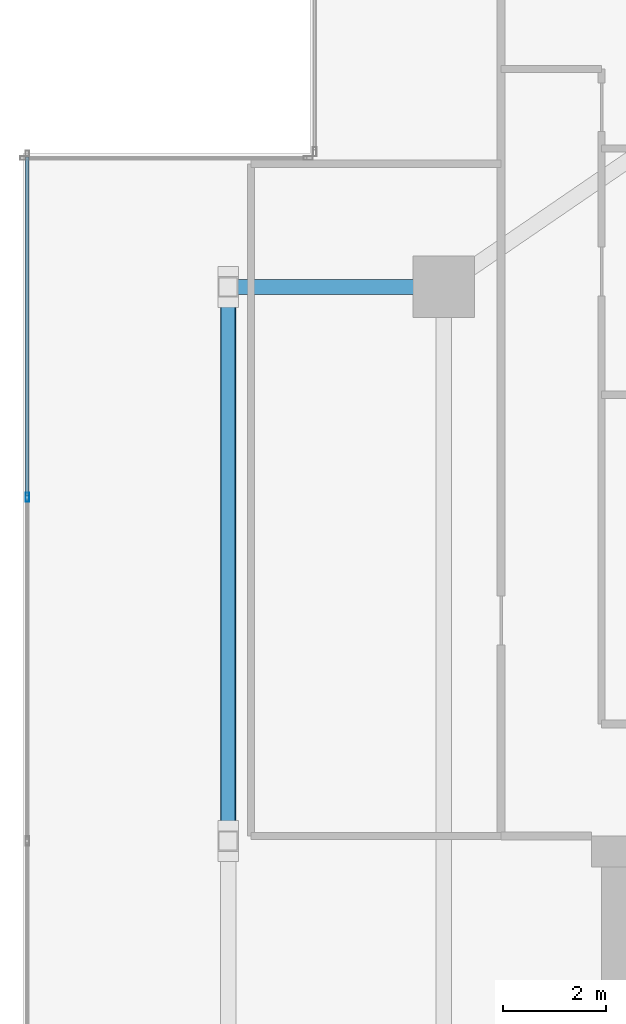
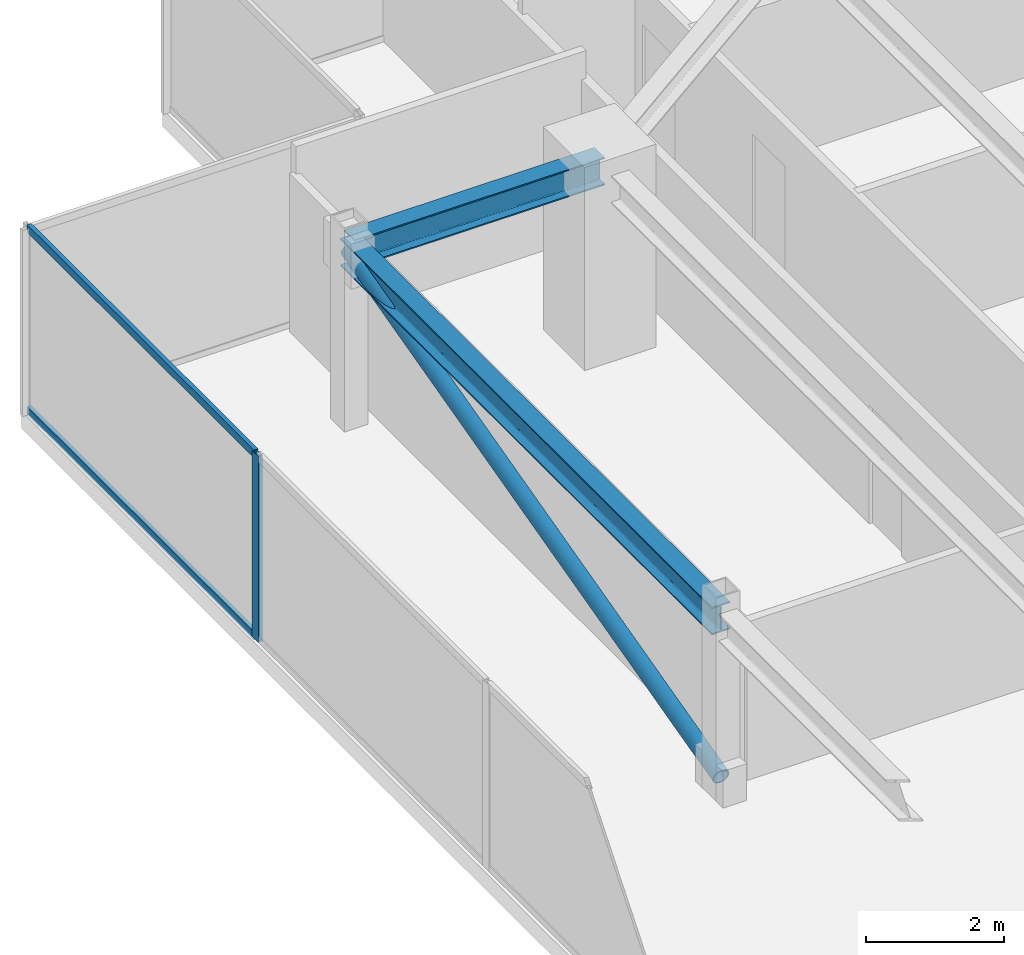
# One storey, part 9 of 16: 4 members, 2 beams, 1 element without a shape of its own.
"""IFC4 building model written with IfcOpenShell, lengths in metres."""

from ifc_helpers import new_model, si_unit, direction, frame, origin, origin_2d, place, context, subcontext, project, spatial, hollow_rectangle, hollow_circle, i_section, extrude, source, transform, mapped, material, material_profile, profile_set, type_object, type_shapes, element, aggregate, save


model = new_model("IFC4")

# Units and contexts
model_context = context("Model", 3, precision=1e-05, world=origin(), true_north=direction((0.0, 1.0)))
body_context = subcontext(model_context, "Body", "Model", "MODEL_VIEW")
ifc_project = project(units=[si_unit("LENGTHUNIT", "METRE"), si_unit("AREAUNIT", "SQUARE_METRE"), si_unit("VOLUMEUNIT", "CUBIC_METRE"), si_unit("PLANEANGLEUNIT", "RADIAN"), si_unit("MASSUNIT", "GRAM", prefix="KILO")], contexts=[model_context])

# Site, building, storey
site_placement = place(None, origin())
site = spatial("IfcSite", under=ifc_project, at=site_placement, CompositionType="ELEMENT")
building_placement = place(site_placement, origin())
building = spatial("IfcBuilding", under=site, at=building_placement, Name="Krantzveldt Concourse Tower", CompositionType="ELEMENT")
storey_placement = place(building_placement, frame((0.0, 0.0, 381.85009765625)))
storey = spatial("IfcBuildingStorey", under=building, at=storey_placement, Name="L94", CompositionType="ELEMENT", Elevation=381.85009765625)

# Beams
ifc_material_1 = material(Name="Steel S355JR", Category="steel")
ifc_material_profile_1 = material_profile(ifc_material_1, i_section(OverallWidth=0.300048828125, OverallDepth=0.489990234375, WebThickness=0.011962890625, FlangeThickness=0.02294921875, FilletRadius=0.027099609375, at=origin_2d()), Name="Steel S355JR", Category="steel")
ifc_profile_set_1 = profile_set([ifc_material_profile_1], Name="Steel S355JR - HEA 500")
beam_type = type_object("IfcBeamType", Name="BM-B-HEA500", PredefinedType="BEAM", material=ifc_profile_set_1)
shared_shape_1 = source(origin(), body_context, "Body", "SweptSolid", [
    extrude(i_section(OverallWidth=0.300048828125, OverallDepth=0.489990234375, WebThickness=0.011962890625, FlangeThickness=0.02294921875, FilletRadius=0.027099609375, at=origin_2d()), origin(), (0.0, 0.0, 1.0), 4.199951171875),
])
beam_1_placement = place(storey_placement, frame((21.0, 37.5, 3.054931640625), z_axis=(1.0, 0.0, 0.0), x_axis=(0.0, 1.0, 0.0)))
element("IfcBeam", 1, at=beam_1_placement, inside=storey, type_object=beam_type, Name="L94 Crown Girder WEST-3", PredefinedType="BEAM", context=body_context, shape_type="MappedRepresentation", body=[
    mapped(shared_shape_1, transform((0.0, 0.0, 0.0), x_axis=(1.0, 0.0, 0.0), y_axis=(0.0, 1.0, 0.0), z_axis=(0.0, 0.0, 1.0), scale=1.0)),
])
shared_shape_2 = source(origin(), body_context, "Body", "SweptSolid", [
    extrude(i_section(OverallWidth=0.300048828125, OverallDepth=0.489990234375, WebThickness=0.011962890625, FlangeThickness=0.02294921875, FilletRadius=0.027099609375, at=origin_2d()), origin(), (0.0, 0.0, 1.0), 10.800048828125),
])
type_shapes(beam_type, [shared_shape_1, shared_shape_2])
beam_2_placement = place(storey_placement, frame((21.0, 26.699951171875, 3.054931640625), z_axis=(0.0, 1.0, 0.0), x_axis=(-1.0, 0.0, 0.0)))
element("IfcBeam", 2, at=beam_2_placement, inside=storey, type_object=beam_type, Name="L94 Crown Girder WEST-2", PredefinedType="BEAM", context=body_context, shape_type="MappedRepresentation", body=[
    mapped(shared_shape_2, transform((0.0, 0.0, 0.0), x_axis=(1.0, 0.0, 0.0), y_axis=(0.0, 1.0, 0.0), z_axis=(0.0, 0.0, 1.0), scale=1.0)),
])

# Member
ifc_material_2 = material(Name="Steel S355J2", Category="steel")
ifc_material_profile_2 = material_profile(ifc_material_2, hollow_circle(Radius=0.136474609375, WallThickness=0.01611328125, at=origin_2d()), Name="Steel S355J2", Category="steel")
ifc_profile_set_2 = profile_set([ifc_material_profile_2], Name="Steel S355J2 - CHS 273x16")
member_type_1 = type_object("IfcMemberType", Name="MB-CB-CHS273", PredefinedType="BRACE", material=ifc_profile_set_2)
shared_shape_3 = source(origin(), body_context, "Body", "SweptSolid", [
    extrude(hollow_circle(Radius=0.136474609375, WallThickness=0.01611328125, at=origin_2d()), origin(), (0.0, 0.0, 1.0), 11.156982421875),
])
type_shapes(member_type_1, [shared_shape_3])
member_1_placement = place(storey_placement, frame((21.0, 26.699951171875, 0.25), z_axis=(0.0, 0.968001426323, 0.250944692386), x_axis=(-1.0, 0.0, 0.0)))
element("IfcMember", 3, at=member_1_placement, inside=storey, type_object=member_type_1, Name="Brace Diagonal CBR-L94-WEST", PredefinedType="BRACE", context=body_context, shape_type="MappedRepresentation", body=[
    mapped(shared_shape_3, transform((0.0, 0.0, 0.0), x_axis=(1.0, 0.0, 0.0), y_axis=(0.0, 1.0, 0.0), z_axis=(0.0, 0.0, 1.0), scale=1.0)),
])

# Curtain wall, members
ifc_material_3 = material(Name="Anodised aluminium 6063-T6", Category="aluminium")
curtain_wall_type = type_object("IfcCurtainWallType", Name="CW7", PredefinedType="USERDEFINED", material=ifc_material_3)
curtain_wall_placement = place(storey_placement, origin())
curtain_wall = element("IfcCurtainWall", 4, at=curtain_wall_placement, inside=storey, type_object=curtain_wall_type, Name="CW-L94-WEST-05", ObjectType="UNITISED CURTAIN WALL", PredefinedType="USERDEFINED")
ifc_material_profile_3 = material_profile(ifc_material_3, hollow_rectangle(XDim=0.070068359375, YDim=0.139892578125, WallThickness=0.0048828125, at=origin_2d()), Name="Anodised aluminium 6063-T6", Category="aluminium")
ifc_profile_set_3 = profile_set([ifc_material_profile_3], Name="Anodised aluminium 6063-T6 - ALU-TRAN 140x70x5")
member_type_2 = type_object("IfcMemberType", Name="CW-TRN-150", PredefinedType="USERDEFINED", material=ifc_profile_set_3)
shared_shape_4 = source(origin(), body_context, "Body", "SweptSolid", [
    extrude(hollow_rectangle(XDim=0.070068359375, YDim=0.139892578125, WallThickness=0.0048828125, at=origin_2d()), origin(), (0.0, 0.0, 1.0), 6.594970703125),
])
type_shapes(member_type_2, [shared_shape_4])
member_2_placement = place(storey_placement, frame((17.090087890625, 40.030029296875, 0.034912109375), z_axis=(0.0, -1.0, 0.0), x_axis=(1.0, 0.0, 0.0)))
member_2 = element("IfcMember", 5, at=member_2_placement, type_object=member_type_2, Name="CW-CRN transom 1.1", ObjectType="TRANSOM", PredefinedType="USERDEFINED", context=body_context, shape_type="MappedRepresentation", body=[
    mapped(shared_shape_4, transform((0.0, 0.0, 0.0), x_axis=(1.0, 0.0, 0.0), y_axis=(0.0, 1.0, 0.0), z_axis=(0.0, 0.0, 1.0), scale=1.0)),
])
member_3_placement = place(storey_placement, frame((17.090087890625, 40.030029296875, 3.264892578125), z_axis=(0.0, -1.0, 0.0), x_axis=(1.0, 0.0, 0.0)))
member_3 = element("IfcMember", 6, at=member_3_placement, type_object=member_type_2, Name="CW-CRN transom 1.2", ObjectType="TRANSOM", PredefinedType="USERDEFINED", context=body_context, shape_type="MappedRepresentation", body=[
    mapped(shared_shape_4, transform((0.0, 0.0, 0.0), x_axis=(1.0, 0.0, 0.0), y_axis=(0.0, 1.0, 0.0), z_axis=(0.0, 0.0, 1.0), scale=1.0)),
])
ifc_material_profile_4 = material_profile(ifc_material_3, hollow_rectangle(XDim=0.070068359375, YDim=0.179931640625, WallThickness=0.0048828125, at=origin_2d()), Name="Anodised aluminium 6063-T6", Category="aluminium")
ifc_profile_set_4 = profile_set([ifc_material_profile_4], Name="Anodised aluminium 6063-T6 - ALU-MULL 180x70x5")
member_type_3 = type_object("IfcMemberType", Name="CW-MUL-180", PredefinedType="MULLION", material=ifc_profile_set_4)
shared_shape_5 = source(origin(), body_context, "Body", "SweptSolid", [
    extrude(hollow_rectangle(XDim=0.070068359375, YDim=0.179931640625, WallThickness=0.0048828125, at=origin_2d()), origin(), (0.0, 0.0, 1.0), 3.2998046875),
])
type_shapes(member_type_3, [shared_shape_5])
member_4_placement = place(storey_placement, frame((17.090087890625, 33.39990234375, 0.0), z_axis=(0.0, 0.0, 1.0), x_axis=(1.0, 0.0, 0.0)))
member_4 = element("IfcMember", 7, at=member_4_placement, type_object=member_type_3, Name="CW-CRN mullion 2", PredefinedType="MULLION", context=body_context, shape_type="MappedRepresentation", body=[
    mapped(shared_shape_5, transform((0.0, 0.0, 0.0), x_axis=(1.0, 0.0, 0.0), y_axis=(0.0, 1.0, 0.0), z_axis=(0.0, 0.0, 1.0), scale=1.0)),
])
aggregate(curtain_wall, [member_4, member_2, member_3])

save(model, "model.ifc")
